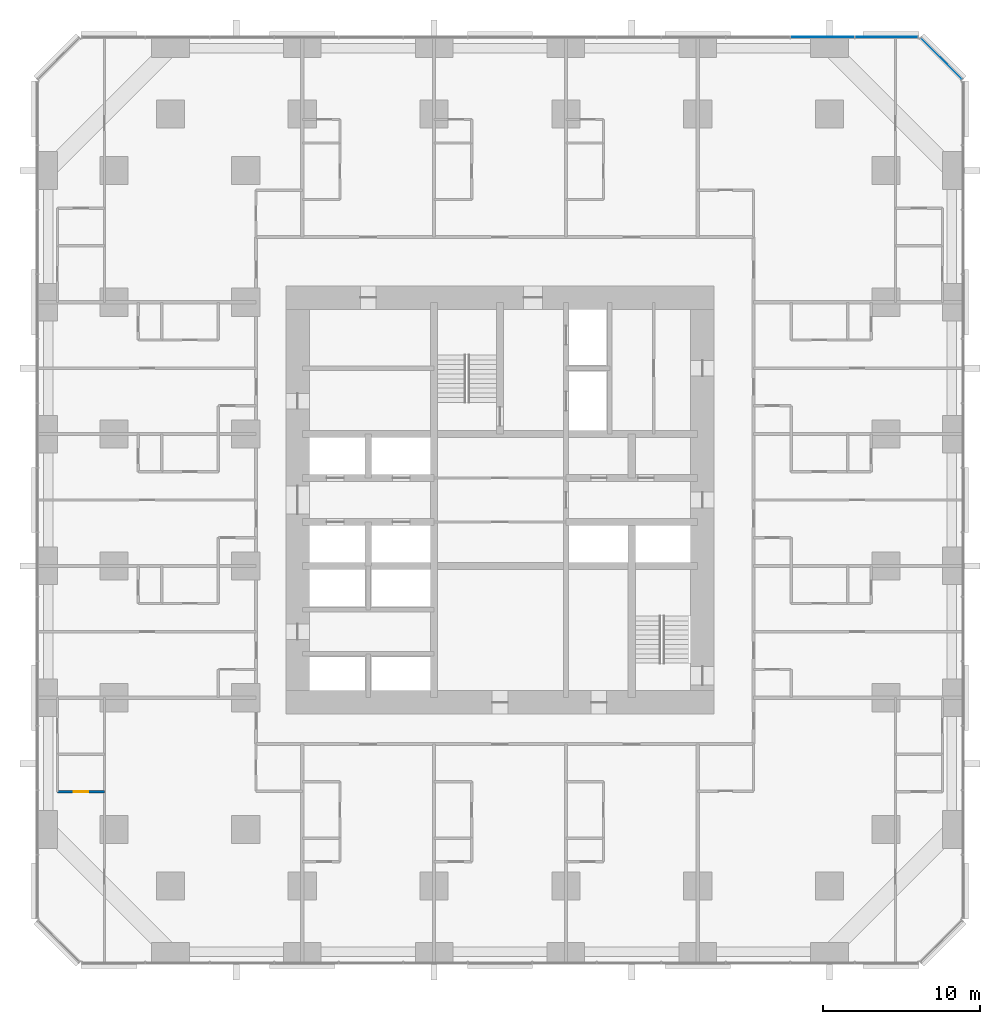
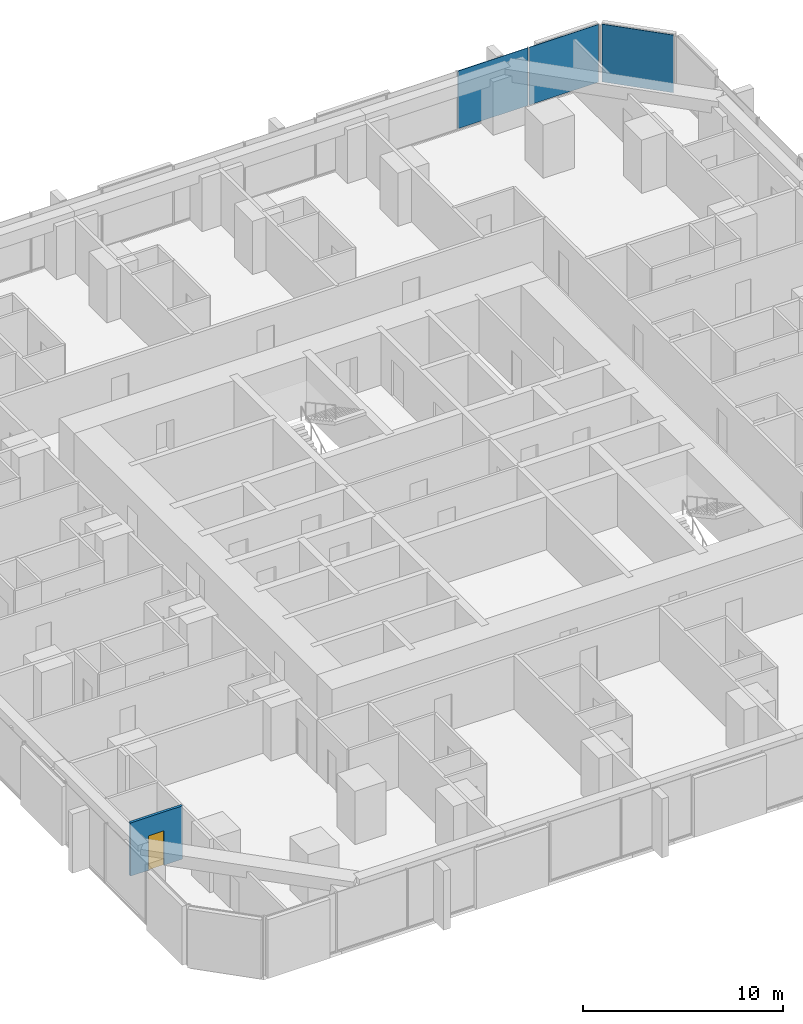
# One storey, part 10 of 17: 3 plates, 1 door, 1 wall, 1 opening, 2 elements without a shape of their own.
"""IFC4 building model written with IfcOpenShell, lengths in metres."""

from ifc_helpers import new_model, si_unit, direction, frame, frame_2d, origin, origin_2d, place, context, subcontext, project, spatial, rectangle, extrude, material, layer, layer_set, type_object, element, fill, aggregate, save


model = new_model("IFC4")

# Units and contexts
model_context = context("Model", 3, precision=1e-05, world=origin(), true_north=direction((0.0, 1.0)))
body_context = subcontext(model_context, "Body", "Model", "MODEL_VIEW")
ifc_project = project(units=[si_unit("LENGTHUNIT", "METRE"), si_unit("AREAUNIT", "SQUARE_METRE"), si_unit("VOLUMEUNIT", "CUBIC_METRE"), si_unit("PLANEANGLEUNIT", "RADIAN"), si_unit("MASSUNIT", "GRAM", prefix="KILO")], contexts=[model_context])

# Site, building, storey
site_placement = place(None, origin())
site = spatial("IfcSite", under=ifc_project, at=site_placement, CompositionType="ELEMENT")
building_placement = place(site_placement, origin())
building = spatial("IfcBuilding", under=site, at=building_placement, Name="Dunama Terrace Hotel", CompositionType="ELEMENT")
storey_placement = place(building_placement, frame((0.0, 0.0, 59.39990234375)))
storey = spatial("IfcBuildingStorey", under=building, at=storey_placement, Name="L14", CompositionType="ELEMENT", Elevation=59.39990234375)

# Curtain wall, plate
ifc_material_1 = material(Name="Aluminium curtain wall system", Category="aluminium")
curtain_wall_type = type_object("IfcCurtainWallType", Name="Unitised fritted glass wall CW-A", PredefinedType="NOTDEFINED", material=ifc_material_1)
curtain_wall_1_placement = place(storey_placement, origin())
curtain_wall_1 = element("IfcCurtainWall", 1, at=curtain_wall_1_placement, inside=storey, type_object=curtain_wall_type, Name="Unitised fritted glass wall CW-A L14", PredefinedType="NOTDEFINED")
ifc_material_2 = material(Name="Laminated glass", Category="glass")
ifc_layer_1 = layer(ifc_material_2, 0.030029296875)
ifc_layer_set_1 = layer_set([ifc_layer_1], Name="CWA clear glass panel")
plate_type_1 = type_object("IfcPlateType", Name="CWA clear glass panel", PredefinedType="CURTAIN_PANEL", material=ifc_layer_set_1)
plate_1_placement = place(storey_placement, frame((54.030029296875, 58.89990234375, 0.0751953125), z_axis=(0.0, 0.0, 1.0), x_axis=(-1.0, 0.0, 0.0)))
plate_1 = element("IfcPlate", 2, at=plate_1_placement, type_object=plate_type_1, Name="CWA clear glass panel", PredefinedType="CURTAIN_PANEL", context=body_context, shape_type="SweptSolid", body=[
    extrude(rectangle(XDim=4.01025390625, YDim=0.030029296875, at=origin_2d()), origin(), (0.0, 0.0, 1.0), 3.52490234375),
])

curtain_wall_2_placement = place(storey_placement, origin())
curtain_wall_2 = element("IfcCurtainWall", 3, at=curtain_wall_2_placement, inside=storey, type_object=curtain_wall_type, Name="Unitised fritted glass wall CW-A L14", PredefinedType="NOTDEFINED")
ifc_material_3 = material(Name="Fritted laminated glass", Category="glass")
ifc_layer_2 = layer(ifc_material_3, 0.030029296875)
ifc_layer_set_2 = layer_set([ifc_layer_2], Name="CWA fritted glass panel")
plate_type_2 = type_object("IfcPlateType", Name="CWA fritted glass panel", PredefinedType="CURTAIN_PANEL", material=ifc_layer_set_2)
plate_2_placement = place(storey_placement, frame((57.52099609375, 57.52099609375, 0.0751953125), z_axis=(0.0, 0.0, 1.0), x_axis=(-0.707106781187, 0.707106781187, 0.0)))
plate_2 = element("IfcPlate", 4, at=plate_2_placement, type_object=plate_type_2, Name="CWA fritted glass panel", PredefinedType="CURTAIN_PANEL", context=body_context, shape_type="SweptSolid", body=[
    extrude(rectangle(XDim=3.6884765625, YDim=0.030029296875, at=origin_2d()), origin(), (0.0, 0.0, 1.0), 3.52490234375),
])
aggregate(curtain_wall_2, [plate_2])

# Plate
ifc_material_4 = material(Name="Laminated glass", Category="glass")
ifc_layer_3 = layer(ifc_material_4, 0.030029296875)
ifc_layer_set_3 = layer_set([ifc_layer_3], Name="CWA operable glass panel")
plate_type_3 = type_object("IfcPlateType", Name="CWA operable glass panel", PredefinedType="CURTAIN_PANEL", material=ifc_layer_set_3)
plate_3_placement = place(storey_placement, frame((49.93798828125, 58.89990234375, 0.0751953125), z_axis=(0.0, 0.0, 1.0), x_axis=(-1.0, 0.0, 0.0)))
plate_3 = element("IfcPlate", 5, at=plate_3_placement, type_object=plate_type_3, Name="CWA operable glass panel", PredefinedType="CURTAIN_PANEL", context=body_context, shape_type="SweptSolid", body=[
    extrude(rectangle(XDim=4.042724609375, YDim=0.030029296875, at=origin_2d()), origin(), (0.0, 0.0, 1.0), 3.52490234375),
])

aggregate(curtain_wall_1, [plate_1, plate_3])

# Wall, opening, door
ifc_material_5 = material(Name="Gypsum board partition", Category="masonry")
ifc_layer_4 = layer(ifc_material_5, 0.14990234375)
ifc_layer_set_4 = layer_set([ifc_layer_4], Name="Room partition 150")
wall_type = type_object("IfcWallType", Name="Room partition 150", PredefinedType="PARTITIONING", material=ifc_layer_set_4)
wall_placement = place(storey_placement, frame((1.199951171875, 10.800048828125, 0.0), z_axis=(0.0, 0.0, 1.0), x_axis=(1.0, 0.0, 0.0)))
wall = element("IfcWall", 6, at=wall_placement, inside=storey, type_object=wall_type, Name="Room partition 150 L14", PredefinedType="PARTITIONING", context=body_context, shape_type="SweptSolid", body=[
    extrude(rectangle(XDim=3.0, YDim=0.14990234375, at=frame_2d((1.5, 0.0))), origin(), (0.0, 0.0, 1.0), 3.25),
])
opening_placement = place(wall_placement, frame((1.050048828125, 0.0, 0.0)))
opening = element("IfcOpeningElement", 7, at=opening_placement, cuts=wall, Name="Opening L13-14-061", PredefinedType="OPENING", context=body_context, shape_type="SweptSolid", body=[
    extrude(rectangle(XDim=0.89990234375, YDim=2.10009765625, at=frame_2d((0.449951171875, 1.050048828125))), frame((0.0, 0.0849609375, 0.0), z_axis=(0.0, -1.0, 0.0), x_axis=(1.0, 0.0, 0.0)), (0.0, 0.0, 1.0), 0.169921875),
])
ifc_material_6 = material(Name="Timber door with steel frame", Category="steel")
door_type = type_object("IfcDoorType", Name="Suite internal door 900", OperationType="SINGLE_SWING_LEFT", PredefinedType="DOOR", material=ifc_material_6)
door_placement = place(opening_placement, origin())
door = element("IfcDoor", 8, at=door_placement, inside=storey, type_object=door_type, Name="Door to dressing room L13-14-061, type D16", OperationType="SINGLE_SWING_LEFT", OverallHeight=2.10009765625, OverallWidth=0.89990234375, PredefinedType="DOOR", context=body_context, shape_type="SweptSolid", body=[
    extrude(rectangle(XDim=0.89990234375, YDim=2.10009765625, at=frame_2d((0.449951171875, 1.050048828125))), frame((0.0, 0.02490234375, 0.0), z_axis=(0.0, -1.0, 0.0), x_axis=(1.0, 0.0, 0.0)), (0.0, 0.0, 1.0), 0.050048828125),
])
fill(opening, door)

save(model, "model.ifc")
